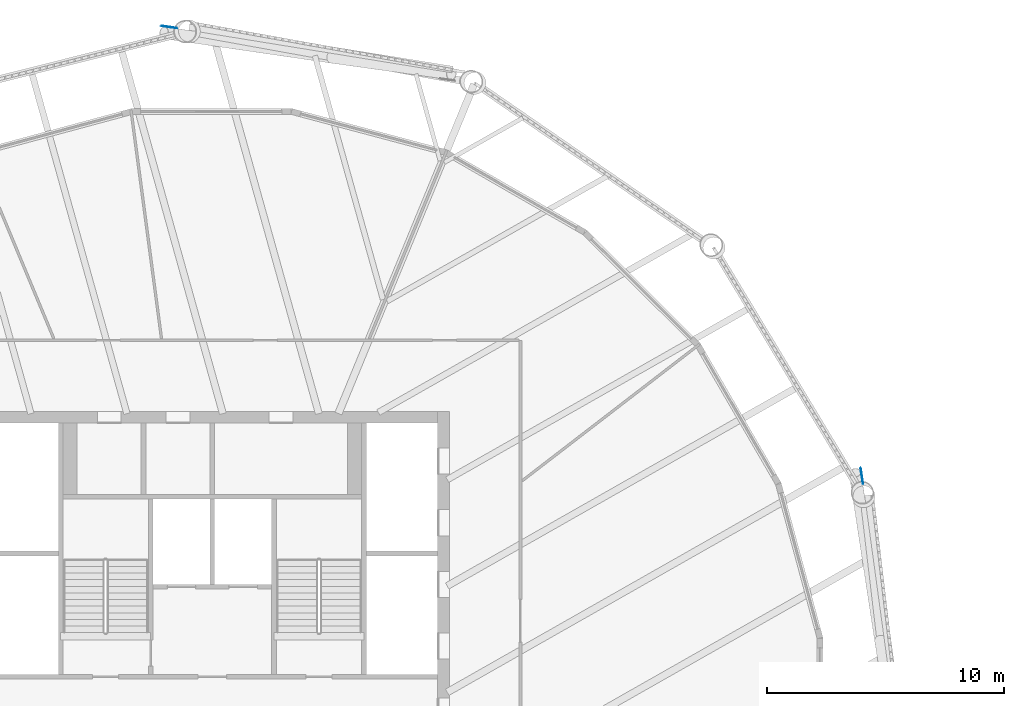
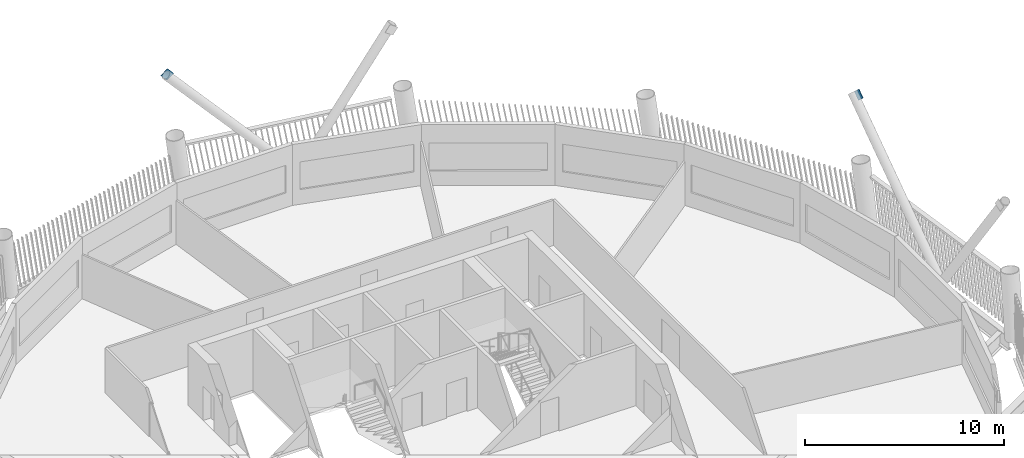
# One storey, part 9 of 21: 2 discrete accessories.
"""IFC4 building model written with IfcOpenShell, lengths in metres."""

from ifc_helpers import new_model, si_unit, direction, frame, origin, origin_2d, place, context, subcontext, project, spatial, rectangle, extrude, material, material_profile, profile_set, type_object, element, save


model = new_model("IFC4")

# Units and contexts
model_context = context("Model", 3, precision=1e-05, world=origin(), true_north=direction((0.0, 1.0)))
body_context = subcontext(model_context, "Body", "Model", "MODEL_VIEW")
ifc_project = project(units=[si_unit("LENGTHUNIT", "METRE"), si_unit("AREAUNIT", "SQUARE_METRE"), si_unit("VOLUMEUNIT", "CUBIC_METRE"), si_unit("PLANEANGLEUNIT", "RADIAN"), si_unit("MASSUNIT", "GRAM", prefix="KILO")], contexts=[model_context])

# Site, building, storey
site_placement = place(None, origin())
site = spatial("IfcSite", under=ifc_project, at=site_placement, CompositionType="ELEMENT")
building_placement = place(site_placement, origin())
building = spatial("IfcBuilding", under=site, at=building_placement, Name="Tarsis Ring Headquarters", CompositionType="ELEMENT")
storey_placement = place(building_placement, frame((0.0, 0.0, 347.0)))
storey = spatial("IfcBuildingStorey", under=building, at=storey_placement, Name="L82", CompositionType="ELEMENT", Elevation=347.0)

# Discrete accessories
ifc_material = material(Name="Structural steel S355", Category="steel")
ifc_material_profile = material_profile(ifc_material, rectangle(XDim=0.02490234375, YDim=0.5, at=origin_2d()), Name="PL 25x500")
ifc_profile_set = profile_set([ifc_material_profile], Name="Structural steel S355")
discrete_accessory_type = type_object("IfcDiscreteAccessoryType", Name="Gusset plate Exo brace 25", PredefinedType="BRACKET", material=ifc_profile_set)
for number, where, z_axis, x_axis, name in (
    (1, (27.383544921875, 10.447998046875, 7.800048828125), (0.1020432517, -0.668407710897, -0.736762042179), (0.988546346792, 0.150917594214, 0.0), "Gusset plate GP5"),
    (2, (-1.999267578125, 29.24072265625, 7.800048828125), (0.66897107146, -0.097660010432, -0.73684477871), (0.144454231104, 0.989511483064, 0.0), "Gusset plate GP5"),
):
    element("IfcDiscreteAccessory", number, at=place(storey_placement, frame(where, z_axis=z_axis, x_axis=x_axis)), inside=storey, type_object=discrete_accessory_type, Name=name, PredefinedType="BRACKET", context=body_context, shape_type="SweptSolid", body=[
        extrude(rectangle(XDim=0.02490234375, YDim=0.5, at=origin_2d()), origin(), (0.0, 0.0, 1.0), 0.5),
    ])

save(model, "model.ifc")
